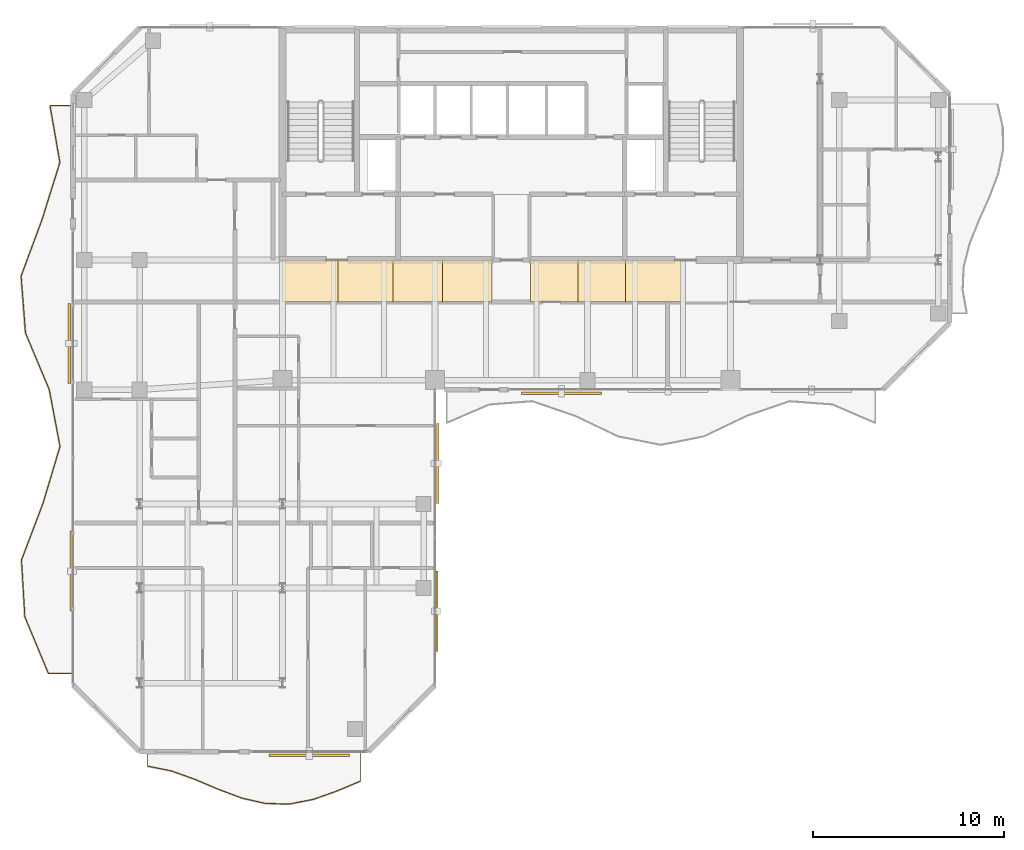
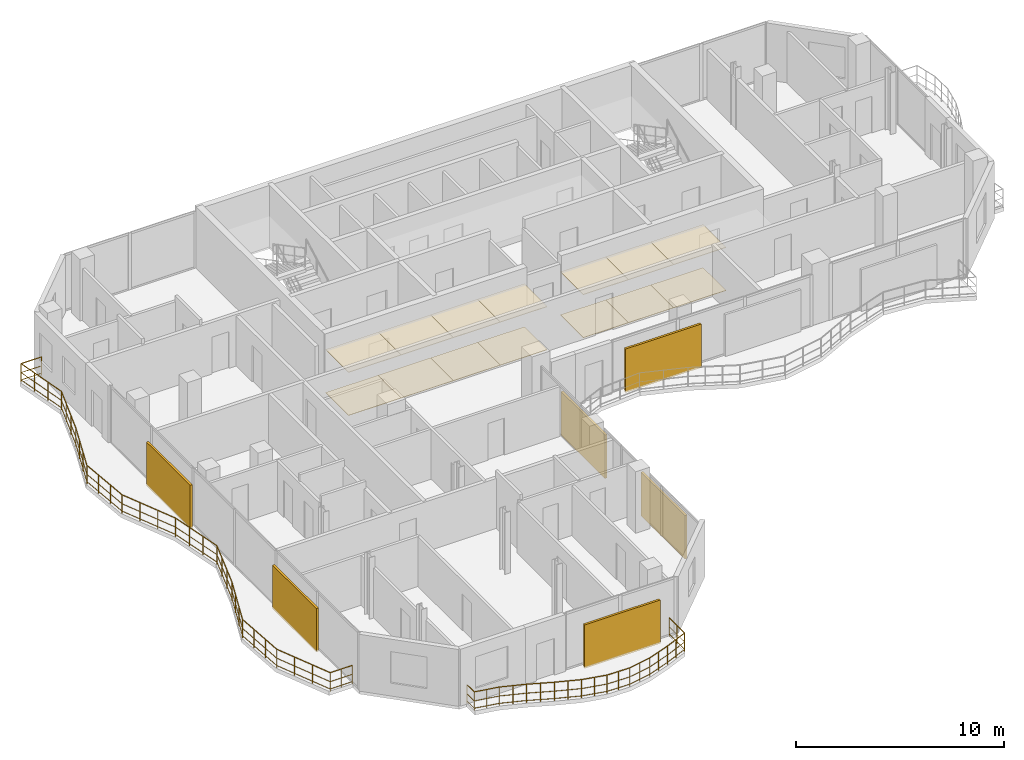
# One storey, part 21 of 23: 14 coverings, 6 shading devices, 2 railings.
"""IFC4 building model written with IfcOpenShell, lengths in metres."""

from ifc_helpers import new_model, si_unit, direction, frame, origin, origin_2d, place, context, subcontext, project, spatial, polyline, rectangle, circle, outline, extrude, material, layer, layer_set, type_object, element, save


model = new_model("IFC4")

# Units and contexts
model_context = context("Model", 3, precision=1e-05, world=origin(), true_north=direction((0.0, 1.0)))
body_context = subcontext(model_context, "Body", "Model", "MODEL_VIEW")
ifc_project = project(units=[si_unit("LENGTHUNIT", "METRE"), si_unit("AREAUNIT", "SQUARE_METRE"), si_unit("VOLUMEUNIT", "CUBIC_METRE"), si_unit("PLANEANGLEUNIT", "RADIAN"), si_unit("MASSUNIT", "GRAM", prefix="KILO")], contexts=[model_context])

# Site, building, storey
site_placement = place(None, origin())
site = spatial("IfcSite", under=ifc_project, at=site_placement, CompositionType="ELEMENT")
building_placement = place(site_placement, origin())
building = spatial("IfcBuilding", under=site, at=building_placement, Name="Catumbela Crestline Tower", CompositionType="ELEMENT")
storey_placement = place(building_placement, frame((0.0, 0.0, 172.2)))
storey = spatial("IfcBuildingStorey", under=building, at=storey_placement, Name="L44", CompositionType="ELEMENT", Elevation=172.2)

# Coverings
ifc_material_1 = material(Name="Mineral-fibre acoustic ceiling")
ifc_layer_1 = layer(ifc_material_1, 0.03, Name="Mineral-fibre acoustic ceiling")
ifc_layer_set_1 = layer_set([ifc_layer_1], Name="Mineral-fibre acoustic ceiling")
covering_type_1 = type_object("IfcCoveringType", Name="CC-AC", PredefinedType="CEILING", material=ifc_layer_set_1)
covering_1_placement = place(storey_placement, frame((0.0, 0.0, 2.52)))
element("IfcCovering", 1, at=covering_1_placement, inside=storey, type_object=covering_type_1, Name="L44 Corridor Acoustic Ceiling Bay 1", PredefinedType="CEILING", context=body_context, shape_type="SweptSolid", body=[
    extrude(outline(polyline([(16.0, 28.6), (18.9, 28.6), (18.9, 30.8), (16.0, 30.8), (16.0, 28.6)])), origin(), (0.0, 0.0, 1.0), 0.03),
])
covering_2_placement = place(storey_placement, frame((0.0, 0.0, 2.52)))
element("IfcCovering", 2, at=covering_2_placement, inside=storey, type_object=covering_type_1, Name="L44 Corridor Acoustic Ceiling Bay 2", PredefinedType="CEILING", context=body_context, shape_type="SweptSolid", body=[
    extrude(outline(polyline([(18.9, 28.6), (21.8, 28.6), (21.8, 30.8), (18.9, 30.8), (18.9, 28.6)])), origin(), (0.0, 0.0, 1.0), 0.03),
])
covering_3_placement = place(storey_placement, frame((0.0, 0.0, 2.52)))
element("IfcCovering", 3, at=covering_3_placement, inside=storey, type_object=covering_type_1, Name="L44 Corridor Acoustic Ceiling Bay 3", PredefinedType="CEILING", context=body_context, shape_type="SweptSolid", body=[
    extrude(outline(polyline([(21.8, 28.6), (24.4, 28.6), (24.4, 30.8), (21.8, 30.8), (21.8, 28.6)])), origin(), (0.0, 0.0, 1.0), 0.03),
])
covering_4_placement = place(storey_placement, frame((0.0, 0.0, 2.52)))
element("IfcCovering", 4, at=covering_4_placement, inside=storey, type_object=covering_type_1, Name="L44 Corridor Acoustic Ceiling Bay 4", PredefinedType="CEILING", context=body_context, shape_type="SweptSolid", body=[
    extrude(outline(polyline([(24.4, 28.6), (27.0, 28.6), (27.0, 30.8), (24.4, 30.8), (24.4, 28.6)])), origin(), (0.0, 0.0, 1.0), 0.03),
])
covering_5_placement = place(storey_placement, frame((0.0, 0.0, 2.52)))
element("IfcCovering", 5, at=covering_5_placement, inside=storey, type_object=covering_type_1, Name="L44 Corridor Acoustic Ceiling Bay 5", PredefinedType="CEILING", context=body_context, shape_type="SweptSolid", body=[
    extrude(outline(polyline([(29.0, 28.6), (31.5, 28.6), (31.5, 30.8), (29.0, 30.8), (29.0, 28.6)])), origin(), (0.0, 0.0, 1.0), 0.03),
])
covering_6_placement = place(storey_placement, frame((0.0, 0.0, 2.52)))
element("IfcCovering", 6, at=covering_6_placement, inside=storey, type_object=covering_type_1, Name="L44 Corridor Acoustic Ceiling Bay 6", PredefinedType="CEILING", context=body_context, shape_type="SweptSolid", body=[
    extrude(outline(polyline([(31.5, 28.6), (34.0, 28.6), (34.0, 30.8), (31.5, 30.8), (31.5, 28.6)])), origin(), (0.0, 0.0, 1.0), 0.03),
])
covering_7_placement = place(storey_placement, frame((0.0, 0.0, 2.52)))
element("IfcCovering", 7, at=covering_7_placement, inside=storey, type_object=covering_type_1, Name="L44 Corridor Acoustic Ceiling Bay 7", PredefinedType="CEILING", context=body_context, shape_type="SweptSolid", body=[
    extrude(outline(polyline([(34.0, 28.6), (36.9, 28.6), (36.9, 30.8), (34.0, 30.8), (34.0, 28.6)])), origin(), (0.0, 0.0, 1.0), 0.03),
])
ifc_material_2 = material(Name="Angolan grey-ochre granite", Category="masonry")
ifc_layer_2 = layer(ifc_material_2, 0.025, Name="Angolan grey-ochre granite")
ifc_layer_set_2 = layer_set([ifc_layer_2], Name="Angolan grey-ochre granite")
covering_type_2 = type_object("IfcCoveringType", Name="CF-GR", PredefinedType="FLOORING", material=ifc_layer_set_2)
covering_8_placement = place(storey_placement, origin())
element("IfcCovering", 8, at=covering_8_placement, inside=storey, type_object=covering_type_2, Name="L44 Corridor Granite Flooring Bay 1", PredefinedType="FLOORING", context=body_context, shape_type="SweptSolid", body=[
    extrude(outline(polyline([(16.0, 28.6), (18.9, 28.6), (18.9, 30.8), (16.0, 30.8), (16.0, 28.6)])), origin(), (0.0, 0.0, 1.0), 0.025),
])
covering_9_placement = place(storey_placement, origin())
element("IfcCovering", 9, at=covering_9_placement, inside=storey, type_object=covering_type_2, Name="L44 Corridor Granite Flooring Bay 2", PredefinedType="FLOORING", context=body_context, shape_type="SweptSolid", body=[
    extrude(outline(polyline([(18.9, 28.6), (21.8, 28.6), (21.8, 30.8), (18.9, 30.8), (18.9, 28.6)])), origin(), (0.0, 0.0, 1.0), 0.025),
])
covering_10_placement = place(storey_placement, origin())
element("IfcCovering", 10, at=covering_10_placement, inside=storey, type_object=covering_type_2, Name="L44 Corridor Granite Flooring Bay 3", PredefinedType="FLOORING", context=body_context, shape_type="SweptSolid", body=[
    extrude(outline(polyline([(21.8, 28.6), (24.4, 28.6), (24.4, 30.8), (21.8, 30.8), (21.8, 28.6)])), origin(), (0.0, 0.0, 1.0), 0.025),
])
covering_11_placement = place(storey_placement, origin())
element("IfcCovering", 11, at=covering_11_placement, inside=storey, type_object=covering_type_2, Name="L44 Corridor Granite Flooring Bay 4", PredefinedType="FLOORING", context=body_context, shape_type="SweptSolid", body=[
    extrude(outline(polyline([(24.4, 28.6), (27.0, 28.6), (27.0, 30.8), (24.4, 30.8), (24.4, 28.6)])), origin(), (0.0, 0.0, 1.0), 0.025),
])
covering_12_placement = place(storey_placement, origin())
element("IfcCovering", 12, at=covering_12_placement, inside=storey, type_object=covering_type_2, Name="L44 Corridor Granite Flooring Bay 5", PredefinedType="FLOORING", context=body_context, shape_type="SweptSolid", body=[
    extrude(outline(polyline([(29.0, 28.6), (31.5, 28.6), (31.5, 30.8), (29.0, 30.8), (29.0, 28.6)])), origin(), (0.0, 0.0, 1.0), 0.025),
])
covering_13_placement = place(storey_placement, origin())
element("IfcCovering", 13, at=covering_13_placement, inside=storey, type_object=covering_type_2, Name="L44 Corridor Granite Flooring Bay 6", PredefinedType="FLOORING", context=body_context, shape_type="SweptSolid", body=[
    extrude(outline(polyline([(31.5, 28.6), (34.0, 28.6), (34.0, 30.8), (31.5, 30.8), (31.5, 28.6)])), origin(), (0.0, 0.0, 1.0), 0.025),
])
covering_14_placement = place(storey_placement, origin())
element("IfcCovering", 14, at=covering_14_placement, inside=storey, type_object=covering_type_2, Name="L44 Corridor Granite Flooring Bay 7", PredefinedType="FLOORING", context=body_context, shape_type="SweptSolid", body=[
    extrude(outline(polyline([(34.0, 28.6), (36.9, 28.6), (36.9, 30.8), (34.0, 30.8), (34.0, 28.6)])), origin(), (0.0, 0.0, 1.0), 0.025),
])

# Railings
ifc_material_3 = material(Name="Stainless steel EN 1.4401", Category="steel")
railing_type = type_object("IfcRailingType", Name="RB-1100", PredefinedType="BALUSTRADE", material=ifc_material_3)
railing_1_placement = place(storey_placement, frame((8.9, 4.94, 0.0)))
element("IfcRailing", 15, at=railing_1_placement, inside=storey, type_object=railing_type, Name="L44 Private Wave Balcony Balustrade 3", PredefinedType="BALUSTRADE", context=body_context, shape_type="SweptSolid", body=[
    extrude(circle(Radius=0.024, at=origin_2d()), frame((0.0, 0.0, 1.076), z_axis=(0.0, -1.0, 0.0), x_axis=(1.0, 0.0, 0.0)), (0.0, 0.0, 1.0), 0.6867),
    extrude(circle(Radius=0.0156, at=origin_2d()), frame((0.0, 0.0, 0.55), z_axis=(0.0, -1.0, 0.0), x_axis=(1.0, 0.0, 0.0)), (0.0, 0.0, 1.0), 0.6867),
    extrude(circle(Radius=0.0156, at=origin_2d()), frame((0.0, 0.0, 0.12), z_axis=(0.0, -1.0, 0.0), x_axis=(1.0, 0.0, 0.0)), (0.0, 0.0, 1.0), 0.6867),
    extrude(circle(Radius=0.024, at=origin_2d()), frame((0.0, -0.6867, 1.076), z_axis=(0.980819432038, -0.194918551545, 0.0), x_axis=(0.194918551545, 0.980819432038, 0.0)), (0.0, 0.0, 1.0), 1.2687),
    extrude(circle(Radius=0.0156, at=origin_2d()), frame((0.0, -0.6867, 0.55), z_axis=(0.980819432038, -0.194918551545, 0.0), x_axis=(0.194918551545, 0.980819432038, 0.0)), (0.0, 0.0, 1.0), 1.2687),
    extrude(circle(Radius=0.0156, at=origin_2d()), frame((0.0, -0.6867, 0.12), z_axis=(0.980819432038, -0.194918551545, 0.0), x_axis=(0.194918551545, 0.980819432038, 0.0)), (0.0, 0.0, 1.0), 1.2687),
    extrude(circle(Radius=0.024, at=origin_2d()), frame((1.2444, -0.934, 1.076), z_axis=(0.94149347443, -0.337031211618, 0.0), x_axis=(0.337031211618, 0.94149347443, 0.0)), (0.0, 0.0, 1.0), 1.3218),
    extrude(circle(Radius=0.0156, at=origin_2d()), frame((1.2444, -0.934, 0.55), z_axis=(0.94149347443, -0.337031211618, 0.0), x_axis=(0.337031211618, 0.94149347443, 0.0)), (0.0, 0.0, 1.0), 1.3218),
    extrude(circle(Radius=0.0156, at=origin_2d()), frame((1.2444, -0.934, 0.12), z_axis=(0.94149347443, -0.337031211618, 0.0), x_axis=(0.337031211618, 0.94149347443, 0.0)), (0.0, 0.0, 1.0), 1.3218),
    extrude(circle(Radius=0.024, at=origin_2d()), frame((2.4889, -1.3795, 1.076), z_axis=(0.921279625293, -0.388900825431, 0.0), x_axis=(0.388900825431, 0.921279625293, 0.0)), (0.0, 0.0, 1.0), 1.3507),
    extrude(circle(Radius=0.0156, at=origin_2d()), frame((2.4889, -1.3795, 0.55), z_axis=(0.921279625293, -0.388900825431, 0.0), x_axis=(0.388900825431, 0.921279625293, 0.0)), (0.0, 0.0, 1.0), 1.3507),
    extrude(circle(Radius=0.0156, at=origin_2d()), frame((2.4889, -1.3795, 0.12), z_axis=(0.921279625293, -0.388900825431, 0.0), x_axis=(0.388900825431, 0.921279625293, 0.0)), (0.0, 0.0, 1.0), 1.3507),
    extrude(circle(Radius=0.024, at=origin_2d()), frame((3.7333, -1.9048, 1.076), z_axis=(0.936597979253, -0.350405800836, 0.0), x_axis=(0.350405800836, 0.936597979253, 0.0)), (0.0, 0.0, 1.0), 1.3287),
    extrude(circle(Radius=0.0156, at=origin_2d()), frame((3.7333, -1.9048, 0.55), z_axis=(0.936597979253, -0.350405800836, 0.0), x_axis=(0.350405800836, 0.936597979253, 0.0)), (0.0, 0.0, 1.0), 1.3287),
    extrude(circle(Radius=0.0156, at=origin_2d()), frame((3.7333, -1.9048, 0.12), z_axis=(0.936597979253, -0.350405800836, 0.0), x_axis=(0.350405800836, 0.936597979253, 0.0)), (0.0, 0.0, 1.0), 1.3287),
    extrude(circle(Radius=0.024, at=origin_2d()), frame((4.9778, -2.3704, 1.076), z_axis=(0.975237445725, -0.221160404358, 0.0), x_axis=(0.221160404358, 0.975237445725, 0.0)), (0.0, 0.0, 1.0), 1.276),
    extrude(circle(Radius=0.0156, at=origin_2d()), frame((4.9778, -2.3704, 0.55), z_axis=(0.975237445725, -0.221160404358, 0.0), x_axis=(0.221160404358, 0.975237445725, 0.0)), (0.0, 0.0, 1.0), 1.276),
    extrude(circle(Radius=0.0156, at=origin_2d()), frame((4.9778, -2.3704, 0.12), z_axis=(0.975237445725, -0.221160404358, 0.0), x_axis=(0.221160404358, 0.975237445725, 0.0)), (0.0, 0.0, 1.0), 1.276),
    extrude(circle(Radius=0.024, at=origin_2d()), frame((6.2222, -2.6526, 1.076), z_axis=(0.999815644587, -0.019200959346, 0.0), x_axis=(0.019200959346, 0.999815644587, 0.0)), (0.0, 0.0, 1.0), 1.2447),
    extrude(circle(Radius=0.0156, at=origin_2d()), frame((6.2222, -2.6526, 0.55), z_axis=(0.999815644587, -0.019200959346, 0.0), x_axis=(0.019200959346, 0.999815644587, 0.0)), (0.0, 0.0, 1.0), 1.2447),
    extrude(circle(Radius=0.0156, at=origin_2d()), frame((6.2222, -2.6526, 0.12), z_axis=(0.999815644587, -0.019200959346, 0.0), x_axis=(0.019200959346, 0.999815644587, 0.0)), (0.0, 0.0, 1.0), 1.2447),
    extrude(circle(Radius=0.024, at=origin_2d()), frame((7.4667, -2.6765, 1.076), z_axis=(0.981772727961, 0.190058703123, 0.0), x_axis=(-0.190058703123, 0.981772727961, 0.0)), (0.0, 0.0, 1.0), 1.2675),
    extrude(circle(Radius=0.0156, at=origin_2d()), frame((7.4667, -2.6765, 0.55), z_axis=(0.981772727961, 0.190058703123, 0.0), x_axis=(-0.190058703123, 0.981772727961, 0.0)), (0.0, 0.0, 1.0), 1.2675),
    extrude(circle(Radius=0.0156, at=origin_2d()), frame((7.4667, -2.6765, 0.12), z_axis=(0.981772727961, 0.190058703123, 0.0), x_axis=(-0.190058703123, 0.981772727961, 0.0)), (0.0, 0.0, 1.0), 1.2675),
    extrude(circle(Radius=0.024, at=origin_2d()), frame((8.7111, -2.4356, 1.076), z_axis=(0.942450839963, 0.334344753591, 0.0), x_axis=(-0.334344753591, 0.942450839963, 0.0)), (0.0, 0.0, 1.0), 1.3205),
    extrude(circle(Radius=0.0156, at=origin_2d()), frame((8.7111, -2.4356, 0.55), z_axis=(0.942450839963, 0.334344753591, 0.0), x_axis=(-0.334344753591, 0.942450839963, 0.0)), (0.0, 0.0, 1.0), 1.3205),
    extrude(circle(Radius=0.0156, at=origin_2d()), frame((8.7111, -2.4356, 0.12), z_axis=(0.942450839963, 0.334344753591, 0.0), x_axis=(-0.334344753591, 0.942450839963, 0.0)), (0.0, 0.0, 1.0), 1.3205),
    extrude(circle(Radius=0.024, at=origin_2d()), frame((9.9556, -1.9941, 1.076), z_axis=(0.921359189048, 0.388712290462, 0.0), x_axis=(-0.388712290462, 0.921359189048, 0.0)), (0.0, 0.0, 1.0), 1.3506),
    extrude(circle(Radius=0.0156, at=origin_2d()), frame((9.9556, -1.9941, 0.55), z_axis=(0.921359189048, 0.388712290462, 0.0), x_axis=(-0.388712290462, 0.921359189048, 0.0)), (0.0, 0.0, 1.0), 1.3506),
    extrude(circle(Radius=0.0156, at=origin_2d()), frame((9.9556, -1.9941, 0.12), z_axis=(0.921359189048, 0.388712290462, 0.0), x_axis=(-0.388712290462, 0.921359189048, 0.0)), (0.0, 0.0, 1.0), 1.3506),
    extrude(circle(Radius=0.024, at=origin_2d()), frame((11.2, -1.4691, 1.076), z_axis=(0.0, 1.0, 0.0), x_axis=(-1.0, 0.0, 0.0)), (0.0, 0.0, 1.0), 1.4691),
    extrude(circle(Radius=0.0156, at=origin_2d()), frame((11.2, -1.4691, 0.55), z_axis=(0.0, 1.0, 0.0), x_axis=(-1.0, 0.0, 0.0)), (0.0, 0.0, 1.0), 1.4691),
    extrude(circle(Radius=0.0156, at=origin_2d()), frame((11.2, -1.4691, 0.12), z_axis=(0.0, 1.0, 0.0), x_axis=(-1.0, 0.0, 0.0)), (0.0, 0.0, 1.0), 1.4691),
    extrude(circle(Radius=0.021, at=origin_2d()), origin(), (0.0, 0.0, 1.0), 1.052),
    extrude(circle(Radius=0.021, at=origin_2d()), frame((0.0, -0.6867, 0.0)), (0.0, 0.0, 1.0), 1.052),
    extrude(circle(Radius=0.021, at=origin_2d()), frame((0.6222, -0.8104, 0.0)), (0.0, 0.0, 1.0), 1.052),
    extrude(circle(Radius=0.021, at=origin_2d()), frame((1.2444, -0.934, 0.0)), (0.0, 0.0, 1.0), 1.052),
    extrude(circle(Radius=0.021, at=origin_2d()), frame((1.8666, -1.1568, 0.0)), (0.0, 0.0, 1.0), 1.052),
    extrude(circle(Radius=0.021, at=origin_2d()), frame((2.4889, -1.3795, 0.0)), (0.0, 0.0, 1.0), 1.052),
    extrude(circle(Radius=0.021, at=origin_2d()), frame((3.1111, -1.6422, 0.0)), (0.0, 0.0, 1.0), 1.052),
    extrude(circle(Radius=0.021, at=origin_2d()), frame((3.7333, -1.9048, 0.0)), (0.0, 0.0, 1.0), 1.052),
    extrude(circle(Radius=0.021, at=origin_2d()), frame((4.3556, -2.1376, 0.0)), (0.0, 0.0, 1.0), 1.052),
    extrude(circle(Radius=0.021, at=origin_2d()), frame((4.9778, -2.3704, 0.0)), (0.0, 0.0, 1.0), 1.052),
    extrude(circle(Radius=0.021, at=origin_2d()), frame((5.6, -2.5115, 0.0)), (0.0, 0.0, 1.0), 1.052),
    extrude(circle(Radius=0.021, at=origin_2d()), frame((6.2222, -2.6526, 0.0)), (0.0, 0.0, 1.0), 1.052),
    extrude(circle(Radius=0.021, at=origin_2d()), frame((6.8444, -2.6646, 0.0)), (0.0, 0.0, 1.0), 1.052),
    extrude(circle(Radius=0.021, at=origin_2d()), frame((7.4667, -2.6765, 0.0)), (0.0, 0.0, 1.0), 1.052),
    extrude(circle(Radius=0.021, at=origin_2d()), frame((8.0889, -2.5561, 0.0)), (0.0, 0.0, 1.0), 1.052),
    extrude(circle(Radius=0.021, at=origin_2d()), frame((8.7111, -2.4356, 0.0)), (0.0, 0.0, 1.0), 1.052),
    extrude(circle(Radius=0.021, at=origin_2d()), frame((9.3334, -2.2149, 0.0)), (0.0, 0.0, 1.0), 1.052),
    extrude(circle(Radius=0.021, at=origin_2d()), frame((9.9556, -1.9941, 0.0)), (0.0, 0.0, 1.0), 1.052),
    extrude(circle(Radius=0.021, at=origin_2d()), frame((10.5778, -1.7316, 0.0)), (0.0, 0.0, 1.0), 1.052),
    extrude(circle(Radius=0.021, at=origin_2d()), frame((11.2, -1.4691, 0.0)), (0.0, 0.0, 1.0), 1.052),
    extrude(circle(Radius=0.021, at=origin_2d()), frame((11.2, -0.7346, 0.0)), (0.0, 0.0, 1.0), 1.052),
    extrude(circle(Radius=0.021, at=origin_2d()), frame((11.2, 0.0, 0.0)), (0.0, 0.0, 1.0), 1.052),
])
railing_2_placement = place(storey_placement, frame((4.94, 38.9, 0.0)))
element("IfcRailing", 16, at=railing_2_placement, inside=storey, type_object=railing_type, Name="L44 Private Wave Balcony Balustrade 4", PredefinedType="BALUSTRADE", context=body_context, shape_type="SweptSolid", body=[
    extrude(circle(Radius=0.024, at=origin_2d()), frame((0.0, 0.0, 1.076), z_axis=(-1.0, 0.0, 0.0), x_axis=(0.0, -1.0, 0.0)), (0.0, 0.0, 1.0), 1.1383),
    extrude(circle(Radius=0.0156, at=origin_2d()), frame((0.0, 0.0, 0.55), z_axis=(-1.0, 0.0, 0.0), x_axis=(0.0, -1.0, 0.0)), (0.0, 0.0, 1.0), 1.1383),
    extrude(circle(Radius=0.0156, at=origin_2d()), frame((0.0, 0.0, 0.12), z_axis=(-1.0, 0.0, 0.0), x_axis=(0.0, -1.0, 0.0)), (0.0, 0.0, 1.0), 1.1383),
    extrude(circle(Radius=0.024, at=origin_2d()), frame((-1.1383, 0.0, 1.076), z_axis=(0.170679721807, -0.985326561381, 0.0), x_axis=(0.985326561381, 0.170679721807, 0.0)), (0.0, 0.0, 1.0), 3.0244),
    extrude(circle(Radius=0.0156, at=origin_2d()), frame((-1.1383, 0.0, 0.55), z_axis=(0.170679721807, -0.985326561381, 0.0), x_axis=(0.985326561381, 0.170679721807, 0.0)), (0.0, 0.0, 1.0), 3.0244),
    extrude(circle(Radius=0.0156, at=origin_2d()), frame((-1.1383, 0.0, 0.12), z_axis=(0.170679721807, -0.985326561381, 0.0), x_axis=(0.985326561381, 0.170679721807, 0.0)), (0.0, 0.0, 1.0), 3.0244),
    extrude(circle(Radius=0.024, at=origin_2d()), frame((-0.6221, -2.98, 1.076), z_axis=(-0.297589034026, -0.954694069756, 0.0), x_axis=(0.954694069756, -0.297589034026, 0.0)), (0.0, 0.0, 1.0), 3.1214),
    extrude(circle(Radius=0.0156, at=origin_2d()), frame((-0.6221, -2.98, 0.55), z_axis=(-0.297589034026, -0.954694069756, 0.0), x_axis=(0.954694069756, -0.297589034026, 0.0)), (0.0, 0.0, 1.0), 3.1214),
    extrude(circle(Radius=0.0156, at=origin_2d()), frame((-0.6221, -2.98, 0.12), z_axis=(-0.297589034026, -0.954694069756, 0.0), x_axis=(0.954694069756, -0.297589034026, 0.0)), (0.0, 0.0, 1.0), 3.1214),
    extrude(circle(Radius=0.024, at=origin_2d()), frame((-1.551, -5.96, 1.076), z_axis=(-0.347700652861, -0.937605597253, 0.0), x_axis=(0.937605597253, -0.347700652861, 0.0)), (0.0, 0.0, 1.0), 3.1783),
    extrude(circle(Radius=0.0156, at=origin_2d()), frame((-1.551, -5.96, 0.55), z_axis=(-0.347700652861, -0.937605597253, 0.0), x_axis=(0.937605597253, -0.347700652861, 0.0)), (0.0, 0.0, 1.0), 3.1783),
    extrude(circle(Radius=0.0156, at=origin_2d()), frame((-1.551, -5.96, 0.12), z_axis=(-0.347700652861, -0.937605597253, 0.0), x_axis=(0.937605597253, -0.347700652861, 0.0)), (0.0, 0.0, 1.0), 3.1783),
    extrude(circle(Radius=0.024, at=origin_2d()), frame((-2.6561, -8.94, 1.076), z_axis=(0.076386901012, -0.997078252372, 0.0), x_axis=(0.997078252372, 0.076386901012, 0.0)), (0.0, 0.0, 1.0), 2.9887),
    extrude(circle(Radius=0.0156, at=origin_2d()), frame((-2.6561, -8.94, 0.55), z_axis=(0.076386901012, -0.997078252372, 0.0), x_axis=(0.997078252372, 0.076386901012, 0.0)), (0.0, 0.0, 1.0), 2.9887),
    extrude(circle(Radius=0.0156, at=origin_2d()), frame((-2.6561, -8.94, 0.12), z_axis=(0.076386901012, -0.997078252372, 0.0), x_axis=(0.997078252372, 0.076386901012, 0.0)), (0.0, 0.0, 1.0), 2.9887),
    extrude(circle(Radius=0.024, at=origin_2d()), frame((-2.4278, -11.92, 1.076), z_axis=(0.386785252451, -0.922169815428, 0.0), x_axis=(0.922169815428, 0.386785252451, 0.0)), (0.0, 0.0, 1.0), 3.2315),
    extrude(circle(Radius=0.0156, at=origin_2d()), frame((-2.4278, -11.92, 0.55), z_axis=(0.386785252451, -0.922169815428, 0.0), x_axis=(0.922169815428, 0.386785252451, 0.0)), (0.0, 0.0, 1.0), 3.2315),
    extrude(circle(Radius=0.0156, at=origin_2d()), frame((-2.4278, -11.92, 0.12), z_axis=(0.386785252451, -0.922169815428, 0.0), x_axis=(0.922169815428, 0.386785252451, 0.0)), (0.0, 0.0, 1.0), 3.2315),
    extrude(circle(Radius=0.024, at=origin_2d()), frame((-1.1779, -14.9, 1.076), z_axis=(0.185928662561, -0.982563246024, 0.0), x_axis=(0.982563246024, 0.185928662561, 0.0)), (0.0, 0.0, 1.0), 3.0329),
    extrude(circle(Radius=0.0156, at=origin_2d()), frame((-1.1779, -14.9, 0.55), z_axis=(0.185928662561, -0.982563246024, 0.0), x_axis=(0.982563246024, 0.185928662561, 0.0)), (0.0, 0.0, 1.0), 3.0329),
    extrude(circle(Radius=0.0156, at=origin_2d()), frame((-1.1779, -14.9, 0.12), z_axis=(0.185928662561, -0.982563246024, 0.0), x_axis=(0.982563246024, 0.185928662561, 0.0)), (0.0, 0.0, 1.0), 3.0329),
    extrude(circle(Radius=0.024, at=origin_2d()), frame((-0.614, -17.88, 1.076), z_axis=(-0.286816970882, -0.95798539927, 0.0), x_axis=(0.95798539927, -0.286816970882, 0.0)), (0.0, 0.0, 1.0), 3.1107),
    extrude(circle(Radius=0.0156, at=origin_2d()), frame((-0.614, -17.88, 0.55), z_axis=(-0.286816970882, -0.95798539927, 0.0), x_axis=(0.95798539927, -0.286816970882, 0.0)), (0.0, 0.0, 1.0), 3.1107),
    extrude(circle(Radius=0.0156, at=origin_2d()), frame((-0.614, -17.88, 0.12), z_axis=(-0.286816970882, -0.95798539927, 0.0), x_axis=(0.95798539927, -0.286816970882, 0.0)), (0.0, 0.0, 1.0), 3.1107),
    extrude(circle(Radius=0.024, at=origin_2d()), frame((-1.5062, -20.86, 1.076), z_axis=(-0.35447734323, -0.935064603723, 0.0), x_axis=(0.935064603723, -0.35447734323, 0.0)), (0.0, 0.0, 1.0), 3.1869),
    extrude(circle(Radius=0.0156, at=origin_2d()), frame((-1.5062, -20.86, 0.55), z_axis=(-0.35447734323, -0.935064603723, 0.0), x_axis=(0.935064603723, -0.35447734323, 0.0)), (0.0, 0.0, 1.0), 3.1869),
    extrude(circle(Radius=0.0156, at=origin_2d()), frame((-1.5062, -20.86, 0.12), z_axis=(-0.35447734323, -0.935064603723, 0.0), x_axis=(0.935064603723, -0.35447734323, 0.0)), (0.0, 0.0, 1.0), 3.1869),
    extrude(circle(Radius=0.024, at=origin_2d()), frame((-2.6359, -23.84, 1.076), z_axis=(0.059024430229, -0.998256538489, 0.0), x_axis=(0.998256538489, 0.059024430229, 0.0)), (0.0, 0.0, 1.0), 2.9852),
    extrude(circle(Radius=0.0156, at=origin_2d()), frame((-2.6359, -23.84, 0.55), z_axis=(0.059024430229, -0.998256538489, 0.0), x_axis=(0.998256538489, 0.059024430229, 0.0)), (0.0, 0.0, 1.0), 2.9852),
    extrude(circle(Radius=0.0156, at=origin_2d()), frame((-2.6359, -23.84, 0.12), z_axis=(0.059024430229, -0.998256538489, 0.0), x_axis=(0.998256538489, 0.059024430229, 0.0)), (0.0, 0.0, 1.0), 2.9852),
    extrude(circle(Radius=0.024, at=origin_2d()), frame((-2.4597, -26.82, 1.076), z_axis=(0.384518602011, -0.923117243208, 0.0), x_axis=(0.923117243208, 0.384518602011, 0.0)), (0.0, 0.0, 1.0), 3.2282),
    extrude(circle(Radius=0.0156, at=origin_2d()), frame((-2.4597, -26.82, 0.55), z_axis=(0.384518602011, -0.923117243208, 0.0), x_axis=(0.923117243208, 0.384518602011, 0.0)), (0.0, 0.0, 1.0), 3.2282),
    extrude(circle(Radius=0.0156, at=origin_2d()), frame((-2.4597, -26.82, 0.12), z_axis=(0.384518602011, -0.923117243208, 0.0), x_axis=(0.923117243208, 0.384518602011, 0.0)), (0.0, 0.0, 1.0), 3.2282),
    extrude(circle(Radius=0.024, at=origin_2d()), frame((-1.2184, -29.8, 1.076), z_axis=(1.0, 0.0, 0.0), x_axis=(0.0, 1.0, 0.0)), (0.0, 0.0, 1.0), 1.2184),
    extrude(circle(Radius=0.0156, at=origin_2d()), frame((-1.2184, -29.8, 0.55), z_axis=(1.0, 0.0, 0.0), x_axis=(0.0, 1.0, 0.0)), (0.0, 0.0, 1.0), 1.2184),
    extrude(circle(Radius=0.0156, at=origin_2d()), frame((-1.2184, -29.8, 0.12), z_axis=(1.0, 0.0, 0.0), x_axis=(0.0, 1.0, 0.0)), (0.0, 0.0, 1.0), 1.2184),
    extrude(circle(Radius=0.021, at=origin_2d()), origin(), (0.0, 0.0, 1.0), 1.052),
    extrude(circle(Radius=0.021, at=origin_2d()), frame((-1.1383, 0.0, 0.0)), (0.0, 0.0, 1.0), 1.052),
    extrude(circle(Radius=0.021, at=origin_2d()), frame((-0.9662, -0.9933, 0.0)), (0.0, 0.0, 1.0), 1.052),
    extrude(circle(Radius=0.021, at=origin_2d()), frame((-0.7942, -1.9867, 0.0)), (0.0, 0.0, 1.0), 1.052),
    extrude(circle(Radius=0.021, at=origin_2d()), frame((-0.6221, -2.98, 0.0)), (0.0, 0.0, 1.0), 1.052),
    extrude(circle(Radius=0.021, at=origin_2d()), frame((-0.9317, -3.9733, 0.0)), (0.0, 0.0, 1.0), 1.052),
    extrude(circle(Radius=0.021, at=origin_2d()), frame((-1.2414, -4.9667, 0.0)), (0.0, 0.0, 1.0), 1.052),
    extrude(circle(Radius=0.021, at=origin_2d()), frame((-1.551, -5.96, 0.0)), (0.0, 0.0, 1.0), 1.052),
    extrude(circle(Radius=0.021, at=origin_2d()), frame((-1.9194, -6.9533, 0.0)), (0.0, 0.0, 1.0), 1.052),
    extrude(circle(Radius=0.021, at=origin_2d()), frame((-2.2877, -7.9467, 0.0)), (0.0, 0.0, 1.0), 1.052),
    extrude(circle(Radius=0.021, at=origin_2d()), frame((-2.6561, -8.94, 0.0)), (0.0, 0.0, 1.0), 1.052),
    extrude(circle(Radius=0.021, at=origin_2d()), frame((-2.58, -9.9333, 0.0)), (0.0, 0.0, 1.0), 1.052),
    extrude(circle(Radius=0.021, at=origin_2d()), frame((-2.5039, -10.9267, 0.0)), (0.0, 0.0, 1.0), 1.052),
    extrude(circle(Radius=0.021, at=origin_2d()), frame((-2.4278, -11.92, 0.0)), (0.0, 0.0, 1.0), 1.052),
    extrude(circle(Radius=0.021, at=origin_2d()), frame((-2.0112, -12.9133, 0.0)), (0.0, 0.0, 1.0), 1.052),
    extrude(circle(Radius=0.021, at=origin_2d()), frame((-1.5945, -13.9067, 0.0)), (0.0, 0.0, 1.0), 1.052),
    extrude(circle(Radius=0.021, at=origin_2d()), frame((-1.1779, -14.9, 0.0)), (0.0, 0.0, 1.0), 1.052),
    extrude(circle(Radius=0.021, at=origin_2d()), frame((-0.9899, -15.8933, 0.0)), (0.0, 0.0, 1.0), 1.052),
    extrude(circle(Radius=0.021, at=origin_2d()), frame((-0.802, -16.8867, 0.0)), (0.0, 0.0, 1.0), 1.052),
    extrude(circle(Radius=0.021, at=origin_2d()), frame((-0.614, -17.88, 0.0)), (0.0, 0.0, 1.0), 1.052),
    extrude(circle(Radius=0.021, at=origin_2d()), frame((-0.9114, -18.8733, 0.0)), (0.0, 0.0, 1.0), 1.052),
    extrude(circle(Radius=0.021, at=origin_2d()), frame((-1.2088, -19.8667, 0.0)), (0.0, 0.0, 1.0), 1.052),
    extrude(circle(Radius=0.021, at=origin_2d()), frame((-1.5062, -20.86, 0.0)), (0.0, 0.0, 1.0), 1.052),
    extrude(circle(Radius=0.021, at=origin_2d()), frame((-1.8828, -21.8533, 0.0)), (0.0, 0.0, 1.0), 1.052),
    extrude(circle(Radius=0.021, at=origin_2d()), frame((-2.2593, -22.8467, 0.0)), (0.0, 0.0, 1.0), 1.052),
    extrude(circle(Radius=0.021, at=origin_2d()), frame((-2.6359, -23.84, 0.0)), (0.0, 0.0, 1.0), 1.052),
    extrude(circle(Radius=0.021, at=origin_2d()), frame((-2.5772, -24.8333, 0.0)), (0.0, 0.0, 1.0), 1.052),
    extrude(circle(Radius=0.021, at=origin_2d()), frame((-2.5184, -25.8267, 0.0)), (0.0, 0.0, 1.0), 1.052),
    extrude(circle(Radius=0.021, at=origin_2d()), frame((-2.4597, -26.82, 0.0)), (0.0, 0.0, 1.0), 1.052),
    extrude(circle(Radius=0.021, at=origin_2d()), frame((-2.0459, -27.8133, 0.0)), (0.0, 0.0, 1.0), 1.052),
    extrude(circle(Radius=0.021, at=origin_2d()), frame((-1.6322, -28.8067, 0.0)), (0.0, 0.0, 1.0), 1.052),
    extrude(circle(Radius=0.021, at=origin_2d()), frame((-1.2184, -29.8, 0.0)), (0.0, 0.0, 1.0), 1.052),
    extrude(circle(Radius=0.021, at=origin_2d()), frame((-0.6092, -29.8, 0.0)), (0.0, 0.0, 1.0), 1.052),
    extrude(circle(Radius=0.021, at=origin_2d()), frame((0.0, -29.8, 0.0)), (0.0, 0.0, 1.0), 1.052),
])

# Shading devices
ifc_material_4 = material(Name="Extruded terracotta ceramic", Category="masonry")
shading_device_type_1 = type_object("IfcShadingDeviceType", Name="ST-180", PredefinedType="USERDEFINED", material=ifc_material_4)
for number, where, z_axis, x_axis, name in (
    (17, (24.099, 12.375, -0.1), (0.0, 0.0, 1.0), (0.0, 1.0, 0.0), "L44 Perforated Terracotta Solar Screen 497 (180 mm)"),
    (18, (4.901, 14.475, -0.1), (0.0, 0.0, 1.0), (0.0, -1.0, 0.0), "L44 Perforated Terracotta Solar Screen 506 (180 mm)"),
):
    element("IfcShadingDevice", number, at=place(storey_placement, frame(where, z_axis=z_axis, x_axis=x_axis)), inside=storey, type_object=shading_device_type_1, Name=name, ObjectType="SCREEN", PredefinedType="USERDEFINED", context=body_context, shape_type="SweptSolid", body=[
        extrude(rectangle(XDim=4.2, YDim=0.12, at=origin_2d()), origin(), (0.0, 0.0, 1.0), 2.55),
    ])
shading_device_type_2 = type_object("IfcShadingDeviceType", Name="ST-260", PredefinedType="USERDEFINED", material=ifc_material_4)
shading_device_placement = place(storey_placement, frame((24.143, 20.125, -0.1), z_axis=(0.0, 0.0, 1.0), x_axis=(0.0, 1.0, 0.0)))
element("IfcShadingDevice", 19, at=shading_device_placement, inside=storey, type_object=shading_device_type_2, Name="L44 Perforated Terracotta Solar Screen 498 (260 mm)", ObjectType="SCREEN", PredefinedType="USERDEFINED", context=body_context, shape_type="SweptSolid", body=[
    extrude(rectangle(XDim=4.2, YDim=0.12, at=origin_2d()), origin(), (0.0, 0.0, 1.0), 2.55),
])
shading_device_type_3 = type_object("IfcShadingDeviceType", Name="ST-340", PredefinedType="USERDEFINED", material=ifc_material_4)
for number, where, z_axis, x_axis, name in (
    (20, (17.4, 4.813, -0.1), (0.0, 0.0, 1.0), (1.0, 0.0, 0.0), "L44 Perforated Terracotta Solar Screen 496 (340 mm)"),
    (21, (30.6375, 23.813, -0.1), (0.0, 0.0, 1.0), (1.0, 0.0, 0.0), "L44 Perforated Terracotta Solar Screen 499 (340 mm)"),
    (22, (4.813, 26.425, -0.1), (0.0, 0.0, 1.0), (0.0, -1.0, 0.0), "L44 Perforated Terracotta Solar Screen 505 (340 mm)"),
):
    element("IfcShadingDevice", number, at=place(storey_placement, frame(where, z_axis=z_axis, x_axis=x_axis)), inside=storey, type_object=shading_device_type_3, Name=name, ObjectType="SCREEN", PredefinedType="USERDEFINED", context=body_context, shape_type="SweptSolid", body=[
        extrude(rectangle(XDim=4.2, YDim=0.12, at=origin_2d()), origin(), (0.0, 0.0, 1.0), 2.55),
    ])

save(model, "model.ifc")
